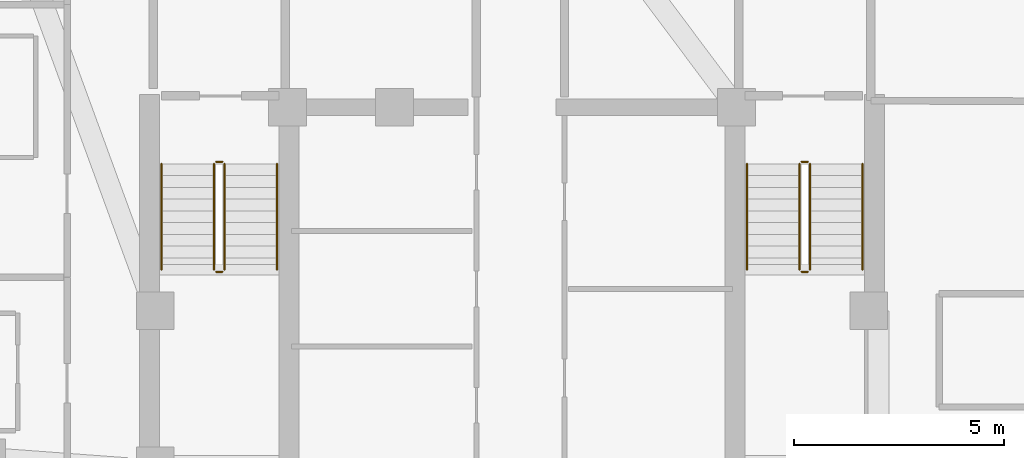
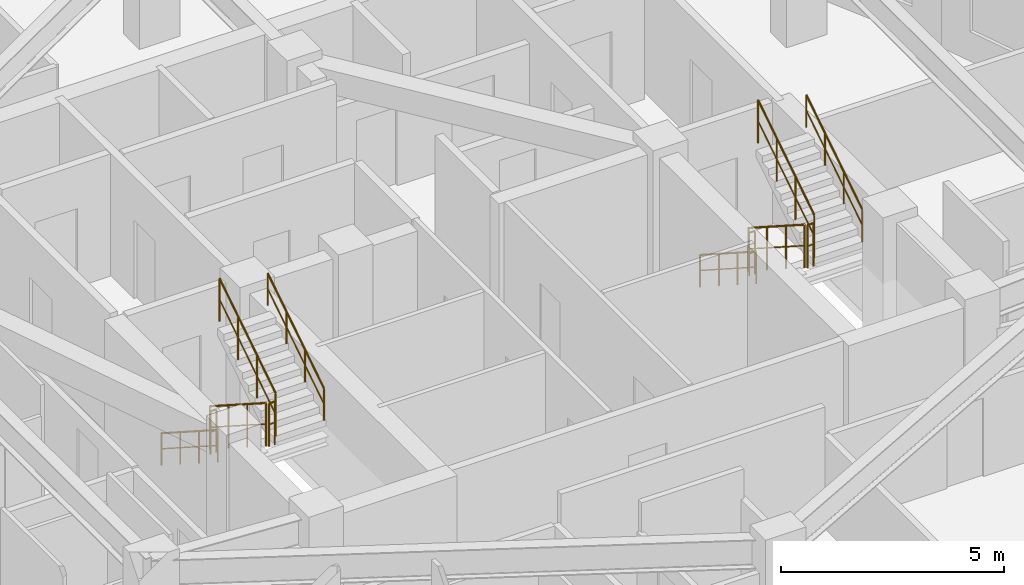
# One storey, part 9 of 9: 12 railings.
"""IFC4 building model written with IfcOpenShell, lengths in metres."""

from ifc_helpers import new_model, si_unit, direction, frame, origin, origin_2d, place, context, subcontext, project, spatial, circle, extrude, material, type_object, element, save


model = new_model("IFC4")

# Units and contexts
model_context = context("Model", 3, precision=1e-05, world=origin(), true_north=direction((0.0, 1.0)))
body_context = subcontext(model_context, "Body", "Model", "MODEL_VIEW")
ifc_project = project(units=[si_unit("LENGTHUNIT", "METRE"), si_unit("AREAUNIT", "SQUARE_METRE"), si_unit("VOLUMEUNIT", "CUBIC_METRE"), si_unit("PLANEANGLEUNIT", "RADIAN"), si_unit("MASSUNIT", "GRAM", prefix="KILO")], contexts=[model_context])

# Site, building, storey
site_placement = place(None, origin())
site = spatial("IfcSite", under=ifc_project, at=site_placement, CompositionType="ELEMENT")
building_placement = place(site_placement, origin())
building = spatial("IfcBuilding", under=site, at=building_placement, Name="Miruveldt Soraemaru", CompositionType="ELEMENT")
storey_placement = place(building_placement, frame((0.0, 0.0, 244.800048828125)))
storey = spatial("IfcBuildingStorey", under=building, at=storey_placement, Name="L67", CompositionType="ELEMENT", Elevation=244.800048828125)

# Railings
ifc_material = material(Name="Steel S355 (355 MPa)", Category="steel")
railing_type_1 = type_object("IfcRailingType", Name="RAIL-HR-900", PredefinedType="HANDRAIL", material=ifc_material)
railing_1_placement = place(storey_placement, frame((35.64990234375, 42.699951171875, 0.179931640625)))
element("IfcRailing", 1, at=railing_1_placement, inside=storey, type_object=railing_type_1, Name="L67 ST-1 stair handrail 1", PredefinedType="HANDRAIL", context=body_context, shape_type="SweptSolid", body=[
    extrude(circle(Radius=0.02392578125, at=origin_2d()), frame((0.0, 0.0, 0.8759765625), z_axis=(0.0, -0.841162588446, 0.540782303519), x_axis=(1.0, 0.0, 0.0)), (0.0, 0.0, 1.0), 2.995849609375),
    extrude(circle(Radius=0.01611328125, at=origin_2d()), frame((0.0, 0.0, 0.449951171875), z_axis=(0.0, -0.841162588446, 0.540782303519), x_axis=(1.0, 0.0, 0.0)), (0.0, 0.0, 1.0), 2.995849609375),
    extrude(circle(Radius=0.02099609375, at=origin_2d()), origin(), (0.0, 0.0, 1.0), 0.851806640625),
    extrude(circle(Radius=0.02099609375, at=origin_2d()), frame((0.0, -0.840087890625, 0.5400390625)), (0.0, 0.0, 1.0), 0.851806640625),
    extrude(circle(Radius=0.02099609375, at=origin_2d()), frame((0.0, -1.679931640625, 1.080078125)), (0.0, 0.0, 1.0), 0.851806640625),
    extrude(circle(Radius=0.02099609375, at=origin_2d()), frame((0.0, -2.52001953125, 1.6201171875)), (0.0, 0.0, 1.0), 0.851806640625),
])
railing_2_placement = place(storey_placement, frame((38.39990234375, 40.179931640625, 1.97998046875)))
element("IfcRailing", 2, at=railing_2_placement, inside=storey, type_object=railing_type_1, Name="L67 ST-1 stair handrail 2", PredefinedType="HANDRAIL", context=body_context, shape_type="SweptSolid", body=[
    extrude(circle(Radius=0.02392578125, at=origin_2d()), frame((0.0, 0.0, 0.8759765625), z_axis=(0.0, 0.841199657755, 0.540724639528), x_axis=(-1.0, 0.0, 0.0)), (0.0, 0.0, 1.0), 2.995849609375),
    extrude(circle(Radius=0.01611328125, at=origin_2d()), frame((0.0, 0.0, 0.449951171875), z_axis=(0.0, 0.841199657755, 0.540724639528), x_axis=(-1.0, 0.0, 0.0)), (0.0, 0.0, 1.0), 2.995849609375),
    extrude(circle(Radius=0.02099609375, at=origin_2d()), origin(), (0.0, 0.0, 1.0), 0.851806640625),
    extrude(circle(Radius=0.02099609375, at=origin_2d()), frame((0.0, 0.840087890625, 0.5400390625)), (0.0, 0.0, 1.0), 0.851806640625),
    extrude(circle(Radius=0.02099609375, at=origin_2d()), frame((0.0, 1.679931640625, 1.079833984375)), (0.0, 0.0, 1.0), 0.851806640625),
    extrude(circle(Radius=0.02099609375, at=origin_2d()), frame((0.0, 2.52001953125, 1.619873046875)), (0.0, 0.0, 1.0), 0.851806640625),
])
railing_3_placement = place(storey_placement, frame((49.60009765625, 42.699951171875, 0.179931640625)))
element("IfcRailing", 3, at=railing_3_placement, inside=storey, type_object=railing_type_1, Name="L67 ST-2 stair handrail 1", PredefinedType="HANDRAIL", context=body_context, shape_type="SweptSolid", body=[
    extrude(circle(Radius=0.02392578125, at=origin_2d()), frame((0.0, 0.0, 0.8759765625), z_axis=(0.0, -0.841162588446, 0.540782303519), x_axis=(1.0, 0.0, 0.0)), (0.0, 0.0, 1.0), 2.995849609375),
    extrude(circle(Radius=0.01611328125, at=origin_2d()), frame((0.0, 0.0, 0.449951171875), z_axis=(0.0, -0.841162588446, 0.540782303519), x_axis=(1.0, 0.0, 0.0)), (0.0, 0.0, 1.0), 2.995849609375),
    extrude(circle(Radius=0.02099609375, at=origin_2d()), origin(), (0.0, 0.0, 1.0), 0.851806640625),
    extrude(circle(Radius=0.02099609375, at=origin_2d()), frame((0.0, -0.840087890625, 0.5400390625)), (0.0, 0.0, 1.0), 0.851806640625),
    extrude(circle(Radius=0.02099609375, at=origin_2d()), frame((0.0, -1.679931640625, 1.080078125)), (0.0, 0.0, 1.0), 0.851806640625),
    extrude(circle(Radius=0.02099609375, at=origin_2d()), frame((0.0, -2.52001953125, 1.6201171875)), (0.0, 0.0, 1.0), 0.851806640625),
])
railing_4_placement = place(storey_placement, frame((52.35009765625, 40.179931640625, 1.97998046875)))
element("IfcRailing", 4, at=railing_4_placement, inside=storey, type_object=railing_type_1, Name="L67 ST-2 stair handrail 2", PredefinedType="HANDRAIL", context=body_context, shape_type="SweptSolid", body=[
    extrude(circle(Radius=0.02392578125, at=origin_2d()), frame((0.0, 0.0, 0.8759765625), z_axis=(0.0, 0.841199657755, 0.540724639528), x_axis=(-1.0, 0.0, 0.0)), (0.0, 0.0, 1.0), 2.995849609375),
    extrude(circle(Radius=0.01611328125, at=origin_2d()), frame((0.0, 0.0, 0.449951171875), z_axis=(0.0, 0.841199657755, 0.540724639528), x_axis=(-1.0, 0.0, 0.0)), (0.0, 0.0, 1.0), 2.995849609375),
    extrude(circle(Radius=0.02099609375, at=origin_2d()), origin(), (0.0, 0.0, 1.0), 0.851806640625),
    extrude(circle(Radius=0.02099609375, at=origin_2d()), frame((0.0, 0.840087890625, 0.5400390625)), (0.0, 0.0, 1.0), 0.851806640625),
    extrude(circle(Radius=0.02099609375, at=origin_2d()), frame((0.0, 1.679931640625, 1.079833984375)), (0.0, 0.0, 1.0), 0.851806640625),
    extrude(circle(Radius=0.02099609375, at=origin_2d()), frame((0.0, 2.52001953125, 1.619873046875)), (0.0, 0.0, 1.0), 0.851806640625),
])
railing_type_2 = type_object("IfcRailingType", Name="RAIL-STGUARD-1200", PredefinedType="GUARDRAIL", material=ifc_material)
railing_5_placement = place(storey_placement, frame((36.89990234375, 42.699951171875, 0.179931640625)))
element("IfcRailing", 5, at=railing_5_placement, inside=storey, type_object=railing_type_2, Name="L67 ST-1 stair guard 1", PredefinedType="GUARDRAIL", context=body_context, shape_type="SweptSolid", body=[
    extrude(circle(Radius=0.02392578125, at=origin_2d()), frame((0.0, 0.0, 1.17578125), z_axis=(0.0, -0.841162588446, 0.540782303519), x_axis=(1.0, 0.0, 0.0)), (0.0, 0.0, 1.0), 2.995849609375),
    extrude(circle(Radius=0.01611328125, at=origin_2d()), frame((0.0, 0.0, 0.60009765625), z_axis=(0.0, -0.841162588446, 0.540782303519), x_axis=(1.0, 0.0, 0.0)), (0.0, 0.0, 1.0), 2.995849609375),
    extrude(circle(Radius=0.02099609375, at=origin_2d()), origin(), (0.0, 0.0, 1.0), 1.15185546875),
    extrude(circle(Radius=0.02099609375, at=origin_2d()), frame((0.0, -0.840087890625, 0.5400390625)), (0.0, 0.0, 1.0), 1.15185546875),
    extrude(circle(Radius=0.02099609375, at=origin_2d()), frame((0.0, -1.679931640625, 1.080078125)), (0.0, 0.0, 1.0), 1.15185546875),
    extrude(circle(Radius=0.02099609375, at=origin_2d()), frame((0.0, -2.52001953125, 1.6201171875)), (0.0, 0.0, 1.0), 1.15185546875),
])
railing_6_placement = place(storey_placement, frame((36.949951171875, 40.1298828125, 1.800048828125)))
element("IfcRailing", 6, at=railing_6_placement, inside=storey, type_object=railing_type_2, Name="L67 ST-1 stair guard 2", PredefinedType="GUARDRAIL", context=body_context, shape_type="SweptSolid", body=[
    extrude(circle(Radius=0.02392578125, at=origin_2d()), frame((0.0, 0.0, 1.17578125), z_axis=(1.0, 0.0, 0.0), x_axis=(0.0, 1.0, 0.0)), (0.0, 0.0, 1.0), 0.150146484375),
    extrude(circle(Radius=0.01611328125, at=origin_2d()), frame((0.0, 0.0, 0.60009765625), z_axis=(1.0, 0.0, 0.0), x_axis=(0.0, 1.0, 0.0)), (0.0, 0.0, 1.0), 0.150146484375),
    extrude(circle(Radius=0.02099609375, at=origin_2d()), origin(), (0.0, 0.0, 1.0), 1.15185546875),
    extrude(circle(Radius=0.02099609375, at=origin_2d()), frame((0.150146484375, 0.0, 0.0)), (0.0, 0.0, 1.0), 1.15185546875),
])
railing_7_placement = place(storey_placement, frame((37.14990234375, 40.179931640625, 1.97998046875)))
element("IfcRailing", 7, at=railing_7_placement, inside=storey, type_object=railing_type_2, Name="L67 ST-1 stair guard 3", PredefinedType="GUARDRAIL", context=body_context, shape_type="SweptSolid", body=[
    extrude(circle(Radius=0.02392578125, at=origin_2d()), frame((0.0, 0.0, 1.17578125), z_axis=(0.0, 0.841199657755, 0.540724639528), x_axis=(-1.0, 0.0, 0.0)), (0.0, 0.0, 1.0), 2.995849609375),
    extrude(circle(Radius=0.01611328125, at=origin_2d()), frame((0.0, 0.0, 0.60009765625), z_axis=(0.0, 0.841199657755, 0.540724639528), x_axis=(-1.0, 0.0, 0.0)), (0.0, 0.0, 1.0), 2.995849609375),
    extrude(circle(Radius=0.02099609375, at=origin_2d()), origin(), (0.0, 0.0, 1.0), 1.15185546875),
    extrude(circle(Radius=0.02099609375, at=origin_2d()), frame((0.0, 0.840087890625, 0.5400390625)), (0.0, 0.0, 1.0), 1.15185546875),
    extrude(circle(Radius=0.02099609375, at=origin_2d()), frame((0.0, 1.679931640625, 1.079833984375)), (0.0, 0.0, 1.0), 1.15185546875),
    extrude(circle(Radius=0.02099609375, at=origin_2d()), frame((0.0, 2.52001953125, 1.619873046875)), (0.0, 0.0, 1.0), 1.15185546875),
])
railing_8_placement = place(storey_placement, frame((36.949951171875, 42.75, 0.0)))
element("IfcRailing", 8, at=railing_8_placement, inside=storey, type_object=railing_type_2, Name="L67 ST-1 stair guard 4", PredefinedType="GUARDRAIL", context=body_context, shape_type="SweptSolid", body=[
    extrude(circle(Radius=0.02392578125, at=origin_2d()), frame((0.0, 0.0, 1.17578125), z_axis=(1.0, 0.0, 0.0), x_axis=(0.0, 1.0, 0.0)), (0.0, 0.0, 1.0), 0.150146484375),
    extrude(circle(Radius=0.01611328125, at=origin_2d()), frame((0.0, 0.0, 0.60009765625), z_axis=(1.0, 0.0, 0.0), x_axis=(0.0, 1.0, 0.0)), (0.0, 0.0, 1.0), 0.150146484375),
    extrude(circle(Radius=0.02099609375, at=origin_2d()), origin(), (0.0, 0.0, 1.0), 1.15185546875),
    extrude(circle(Radius=0.02099609375, at=origin_2d()), frame((0.150146484375, 0.0, 0.0)), (0.0, 0.0, 1.0), 1.15185546875),
])
railing_9_placement = place(storey_placement, frame((50.85009765625, 42.699951171875, 0.179931640625)))
element("IfcRailing", 9, at=railing_9_placement, inside=storey, type_object=railing_type_2, Name="L67 ST-2 stair guard 1", PredefinedType="GUARDRAIL", context=body_context, shape_type="SweptSolid", body=[
    extrude(circle(Radius=0.02392578125, at=origin_2d()), frame((0.0, 0.0, 1.17578125), z_axis=(0.0, -0.841162588446, 0.540782303519), x_axis=(1.0, 0.0, 0.0)), (0.0, 0.0, 1.0), 2.995849609375),
    extrude(circle(Radius=0.01611328125, at=origin_2d()), frame((0.0, 0.0, 0.60009765625), z_axis=(0.0, -0.841162588446, 0.540782303519), x_axis=(1.0, 0.0, 0.0)), (0.0, 0.0, 1.0), 2.995849609375),
    extrude(circle(Radius=0.02099609375, at=origin_2d()), origin(), (0.0, 0.0, 1.0), 1.15185546875),
    extrude(circle(Radius=0.02099609375, at=origin_2d()), frame((0.0, -0.840087890625, 0.5400390625)), (0.0, 0.0, 1.0), 1.15185546875),
    extrude(circle(Radius=0.02099609375, at=origin_2d()), frame((0.0, -1.679931640625, 1.080078125)), (0.0, 0.0, 1.0), 1.15185546875),
    extrude(circle(Radius=0.02099609375, at=origin_2d()), frame((0.0, -2.52001953125, 1.6201171875)), (0.0, 0.0, 1.0), 1.15185546875),
])
railing_10_placement = place(storey_placement, frame((50.89990234375, 40.1298828125, 1.800048828125)))
element("IfcRailing", 10, at=railing_10_placement, inside=storey, type_object=railing_type_2, Name="L67 ST-2 stair guard 2", PredefinedType="GUARDRAIL", context=body_context, shape_type="SweptSolid", body=[
    extrude(circle(Radius=0.02392578125, at=origin_2d()), frame((0.0, 0.0, 1.17578125), z_axis=(1.0, 0.0, 0.0), x_axis=(0.0, 1.0, 0.0)), (0.0, 0.0, 1.0), 0.150146484375),
    extrude(circle(Radius=0.01611328125, at=origin_2d()), frame((0.0, 0.0, 0.60009765625), z_axis=(1.0, 0.0, 0.0), x_axis=(0.0, 1.0, 0.0)), (0.0, 0.0, 1.0), 0.150146484375),
    extrude(circle(Radius=0.02099609375, at=origin_2d()), origin(), (0.0, 0.0, 1.0), 1.15185546875),
    extrude(circle(Radius=0.02099609375, at=origin_2d()), frame((0.150146484375, 0.0, 0.0)), (0.0, 0.0, 1.0), 1.15185546875),
])
railing_11_placement = place(storey_placement, frame((51.10009765625, 40.179931640625, 1.97998046875)))
element("IfcRailing", 11, at=railing_11_placement, inside=storey, type_object=railing_type_2, Name="L67 ST-2 stair guard 3", PredefinedType="GUARDRAIL", context=body_context, shape_type="SweptSolid", body=[
    extrude(circle(Radius=0.02392578125, at=origin_2d()), frame((0.0, 0.0, 1.17578125), z_axis=(0.0, 0.841199657755, 0.540724639528), x_axis=(-1.0, 0.0, 0.0)), (0.0, 0.0, 1.0), 2.995849609375),
    extrude(circle(Radius=0.01611328125, at=origin_2d()), frame((0.0, 0.0, 0.60009765625), z_axis=(0.0, 0.841199657755, 0.540724639528), x_axis=(-1.0, 0.0, 0.0)), (0.0, 0.0, 1.0), 2.995849609375),
    extrude(circle(Radius=0.02099609375, at=origin_2d()), origin(), (0.0, 0.0, 1.0), 1.15185546875),
    extrude(circle(Radius=0.02099609375, at=origin_2d()), frame((0.0, 0.840087890625, 0.5400390625)), (0.0, 0.0, 1.0), 1.15185546875),
    extrude(circle(Radius=0.02099609375, at=origin_2d()), frame((0.0, 1.679931640625, 1.079833984375)), (0.0, 0.0, 1.0), 1.15185546875),
    extrude(circle(Radius=0.02099609375, at=origin_2d()), frame((0.0, 2.52001953125, 1.619873046875)), (0.0, 0.0, 1.0), 1.15185546875),
])
railing_12_placement = place(storey_placement, frame((50.89990234375, 42.75, 0.0)))
element("IfcRailing", 12, at=railing_12_placement, inside=storey, type_object=railing_type_2, Name="L67 ST-2 stair guard 4", PredefinedType="GUARDRAIL", context=body_context, shape_type="SweptSolid", body=[
    extrude(circle(Radius=0.02392578125, at=origin_2d()), frame((0.0, 0.0, 1.17578125), z_axis=(1.0, 0.0, 0.0), x_axis=(0.0, 1.0, 0.0)), (0.0, 0.0, 1.0), 0.150146484375),
    extrude(circle(Radius=0.01611328125, at=origin_2d()), frame((0.0, 0.0, 0.60009765625), z_axis=(1.0, 0.0, 0.0), x_axis=(0.0, 1.0, 0.0)), (0.0, 0.0, 1.0), 0.150146484375),
    extrude(circle(Radius=0.02099609375, at=origin_2d()), origin(), (0.0, 0.0, 1.0), 1.15185546875),
    extrude(circle(Radius=0.02099609375, at=origin_2d()), frame((0.150146484375, 0.0, 0.0)), (0.0, 0.0, 1.0), 1.15185546875),
])

save(model, "model.ifc")
